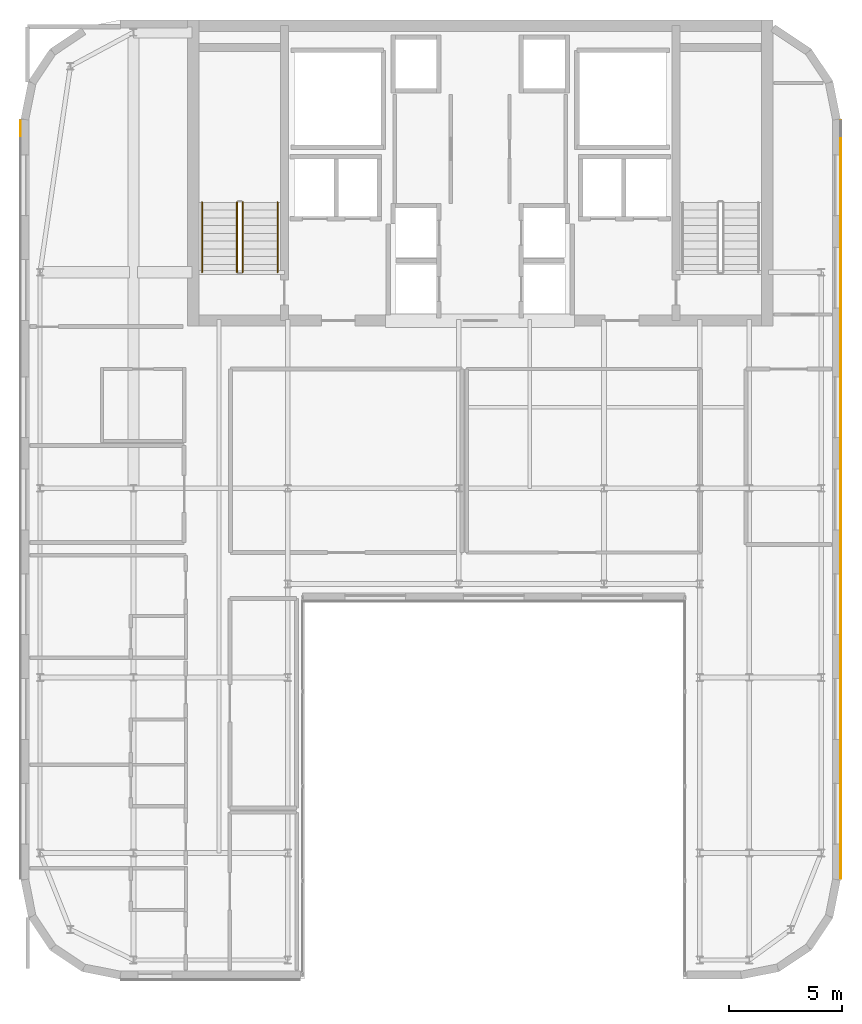
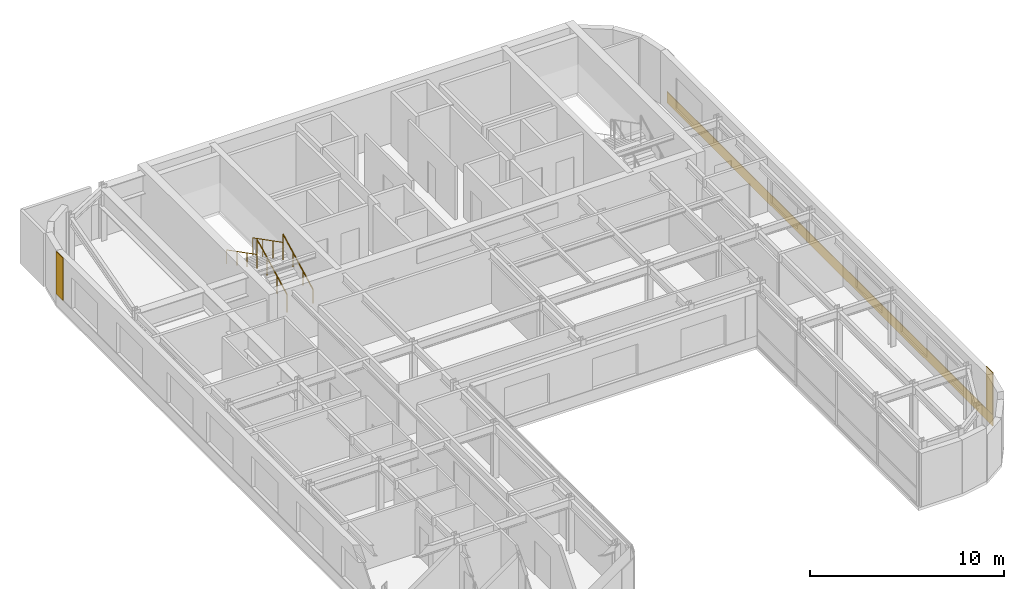
# One storey, part 19 of 20: 4 railings, 3 coverings.
"""IFC4 building model written with IfcOpenShell, lengths in metres."""

from ifc_helpers import new_model, si_unit, direction, frame, origin, origin_2d, place, context, subcontext, project, spatial, polyline, circle, outline, extrude, material, layer, layer_set, type_object, element, save


model = new_model("IFC4")

# Units and contexts
model_context = context("Model", 3, precision=1e-05, world=origin(), true_north=direction((0.0, 1.0)))
body_context = subcontext(model_context, "Body", "Model", "MODEL_VIEW")
ifc_project = project(units=[si_unit("LENGTHUNIT", "METRE"), si_unit("AREAUNIT", "SQUARE_METRE"), si_unit("VOLUMEUNIT", "CUBIC_METRE"), si_unit("PLANEANGLEUNIT", "RADIAN"), si_unit("MASSUNIT", "GRAM", prefix="KILO")], contexts=[model_context])

# Site, building, storey
site_placement = place(None, origin())
site = spatial("IfcSite", under=ifc_project, at=site_placement, CompositionType="ELEMENT")
building_placement = place(site_placement, origin())
building = spatial("IfcBuilding", under=site, at=building_placement, Name="Tolvann Quenvar Hotel", CompositionType="ELEMENT")
storey_placement = place(building_placement, frame((0.0, 0.0, 248.75)))
storey = spatial("IfcBuildingStorey", under=building, at=storey_placement, Name="L66", CompositionType="ELEMENT", Elevation=248.75)

# Coverings
ifc_material_1 = material(Name="Kiln-fired red architectural face brick cladding", Category="masonry")
ifc_layer_1 = layer(ifc_material_1, 0.0400390625)
ifc_layer_set_1 = layer_set([ifc_layer_1], Name="Kiln-fired red architectural face brick cladding")
covering_type_1 = type_object("IfcCoveringType", Name="COV_CLAD_BRICK_40", PredefinedType="CLADDING", material=ifc_layer_set_1)
covering_1_placement = place(storey_placement, frame((0.0, 0.0, 0.699951171875)))
element("IfcCovering", 1, at=covering_1_placement, inside=storey, type_object=covering_type_1, Name="Brick Pier Cladding (L66-E13-P1)", PredefinedType="CLADDING", context=body_context, shape_type="SweptSolid", body=[
    extrude(outline(polyline([(39.0, 7.067138671875), (39.0, 7.76708984375), (39.0400390625, 7.76708984375), (39.0400390625, 7.067138671875), (39.0, 7.067138671875)])), origin(), (0.0, 0.0, 1.0), 2.670166015625),
])
covering_2_placement = place(storey_placement, frame((0.0, 0.0, 0.699951171875)))
element("IfcCovering", 2, at=covering_2_placement, inside=storey, type_object=covering_type_1, Name="Brick Pier Cladding (L66-E23-P1)", PredefinedType="CLADDING", context=body_context, shape_type="SweptSolid", body=[
    extrude(outline(polyline([(2.60009765625, 40.73291015625), (2.60009765625, 40.03271484375), (2.56005859375, 40.03271484375), (2.56005859375, 40.73291015625), (2.60009765625, 40.73291015625)])), origin(), (0.0, 0.0, 1.0), 2.670166015625),
])
ifc_material_2 = material(Name="Moulded buff architectural terracotta spandrel cladding", Category="masonry")
ifc_layer_2 = layer(ifc_material_2, 0.0400390625)
ifc_layer_set_2 = layer_set([ifc_layer_2], Name="Moulded buff architectural terracotta spandrel cladding")
covering_type_2 = type_object("IfcCoveringType", Name="COV_CLAD_TERRA_40", PredefinedType="CLADDING", material=ifc_layer_set_2)
covering_3_placement = place(storey_placement, origin())
element("IfcCovering", 3, at=covering_3_placement, inside=storey, type_object=covering_type_2, Name="Terracotta Spandrel Cladding (L66-E13)", PredefinedType="CLADDING", context=body_context, shape_type="SweptSolid", body=[
    extrude(outline(polyline([(39.0, 7.05712890625), (39.0, 40.742919921875), (39.0400390625, 40.742919921875), (39.0400390625, 7.05712890625), (39.0, 7.05712890625)])), origin(), (0.0, 0.0, 1.0), 0.699951171875),
])

# Railings
ifc_material_3 = material(Name="Brushed 316 stainless steel balustrade and handrail", Category="steel")
railing_type_1 = type_object("IfcRailingType", Name="GUARDRAIL", PredefinedType="GUARDRAIL", material=ifc_material_3)
railing_1_placement = place(storey_placement, frame((12.449951171875, 34.0, 0.177490234375)))
element("IfcRailing", 4, at=railing_1_placement, inside=storey, type_object=railing_type_1, Name="L66 ST-C1 stair guard 1", PredefinedType="GUARDRAIL", context=body_context, shape_type="SweptSolid", body=[
    extrude(circle(Radius=0.02392578125, at=origin_2d()), frame((0.0, 0.0, 1.09619140625), z_axis=(0.0, 0.889221982265, 0.45747597342), x_axis=(-1.0, 0.0, 0.0)), (0.0, 0.0, 1.0), 3.49169921875),
    extrude(circle(Radius=0.02099609375, at=origin_2d()), origin(), (0.0, 0.0, 1.0), 1.072021484375),
    extrude(circle(Radius=0.02099609375, at=origin_2d()), frame((0.0, 1.034912109375, 0.532470703125)), (0.0, 0.0, 1.0), 1.072021484375),
    extrude(circle(Radius=0.02099609375, at=origin_2d()), frame((0.0, 2.070068359375, 1.06494140625)), (0.0, 0.0, 1.0), 1.072021484375),
    extrude(circle(Radius=0.02099609375, at=origin_2d()), frame((0.0, 3.10498046875, 1.597412109375)), (0.0, 0.0, 1.0), 1.072021484375),
])
railing_2_placement = place(storey_placement, frame((12.199951171875, 37.10498046875, 1.952392578125)))
element("IfcRailing", 5, at=railing_2_placement, inside=storey, type_object=railing_type_1, Name="L66 ST-C1 stair guard 3", PredefinedType="GUARDRAIL", context=body_context, shape_type="SweptSolid", body=[
    extrude(circle(Radius=0.02392578125, at=origin_2d()), frame((0.0, 0.0, 1.09619140625), z_axis=(0.0, -0.88919353882, 0.457531256332), x_axis=(1.0, 0.0, 0.0)), (0.0, 0.0, 1.0), 3.491943359375),
    extrude(circle(Radius=0.02099609375, at=origin_2d()), origin(), (0.0, 0.0, 1.0), 1.072021484375),
    extrude(circle(Radius=0.02099609375, at=origin_2d()), frame((0.0, -1.034912109375, 0.532470703125)), (0.0, 0.0, 1.0), 1.072021484375),
    extrude(circle(Radius=0.02099609375, at=origin_2d()), frame((0.0, -2.070068359375, 1.065185546875)), (0.0, 0.0, 1.0), 1.072021484375),
    extrude(circle(Radius=0.02099609375, at=origin_2d()), frame((0.0, -3.10498046875, 1.59765625)), (0.0, 0.0, 1.0), 1.072021484375),
])
railing_type_2 = type_object("IfcRailingType", Name="HANDRAIL", PredefinedType="HANDRAIL", material=ifc_material_3)
railing_3_placement = place(storey_placement, frame((14.0, 34.0, 0.177490234375)))
element("IfcRailing", 6, at=railing_3_placement, inside=storey, type_object=railing_type_2, Name="L66 ST-C1 stair handrail 1", PredefinedType="HANDRAIL", context=body_context, shape_type="SweptSolid", body=[
    extrude(circle(Radius=0.02392578125, at=origin_2d()), frame((0.0, 0.0, 0.8759765625), z_axis=(0.0, 0.889221982265, 0.45747597342), x_axis=(-1.0, 0.0, 0.0)), (0.0, 0.0, 1.0), 3.49169921875),
    extrude(circle(Radius=0.02099609375, at=origin_2d()), origin(), (0.0, 0.0, 1.0), 0.851806640625),
    extrude(circle(Radius=0.02099609375, at=origin_2d()), frame((0.0, 1.034912109375, 0.532470703125)), (0.0, 0.0, 1.0), 0.851806640625),
    extrude(circle(Radius=0.02099609375, at=origin_2d()), frame((0.0, 2.070068359375, 1.06494140625)), (0.0, 0.0, 1.0), 0.851806640625),
    extrude(circle(Radius=0.02099609375, at=origin_2d()), frame((0.0, 3.10498046875, 1.597412109375)), (0.0, 0.0, 1.0), 0.851806640625),
])
railing_4_placement = place(storey_placement, frame((10.64990234375, 37.10498046875, 1.952392578125)))
element("IfcRailing", 7, at=railing_4_placement, inside=storey, type_object=railing_type_2, Name="L66 ST-C1 stair handrail 2", PredefinedType="HANDRAIL", context=body_context, shape_type="SweptSolid", body=[
    extrude(circle(Radius=0.02392578125, at=origin_2d()), frame((0.0, 0.0, 0.8759765625), z_axis=(0.0, -0.88919353882, 0.457531256332), x_axis=(1.0, 0.0, 0.0)), (0.0, 0.0, 1.0), 3.491943359375),
    extrude(circle(Radius=0.02099609375, at=origin_2d()), origin(), (0.0, 0.0, 1.0), 0.851806640625),
    extrude(circle(Radius=0.02099609375, at=origin_2d()), frame((0.0, -1.034912109375, 0.532470703125)), (0.0, 0.0, 1.0), 0.851806640625),
    extrude(circle(Radius=0.02099609375, at=origin_2d()), frame((0.0, -2.070068359375, 1.065185546875)), (0.0, 0.0, 1.0), 0.851806640625),
    extrude(circle(Radius=0.02099609375, at=origin_2d()), frame((0.0, -3.10498046875, 1.59765625)), (0.0, 0.0, 1.0), 0.851806640625),
])

save(model, "model.ifc")
